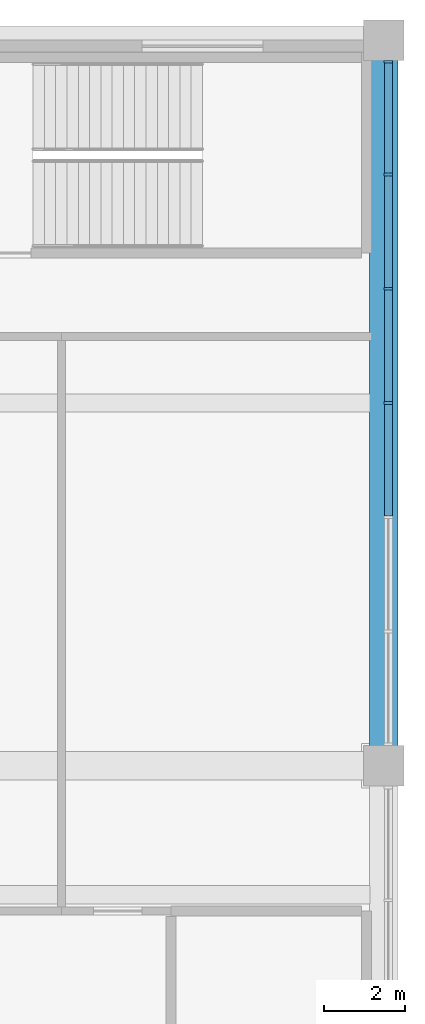
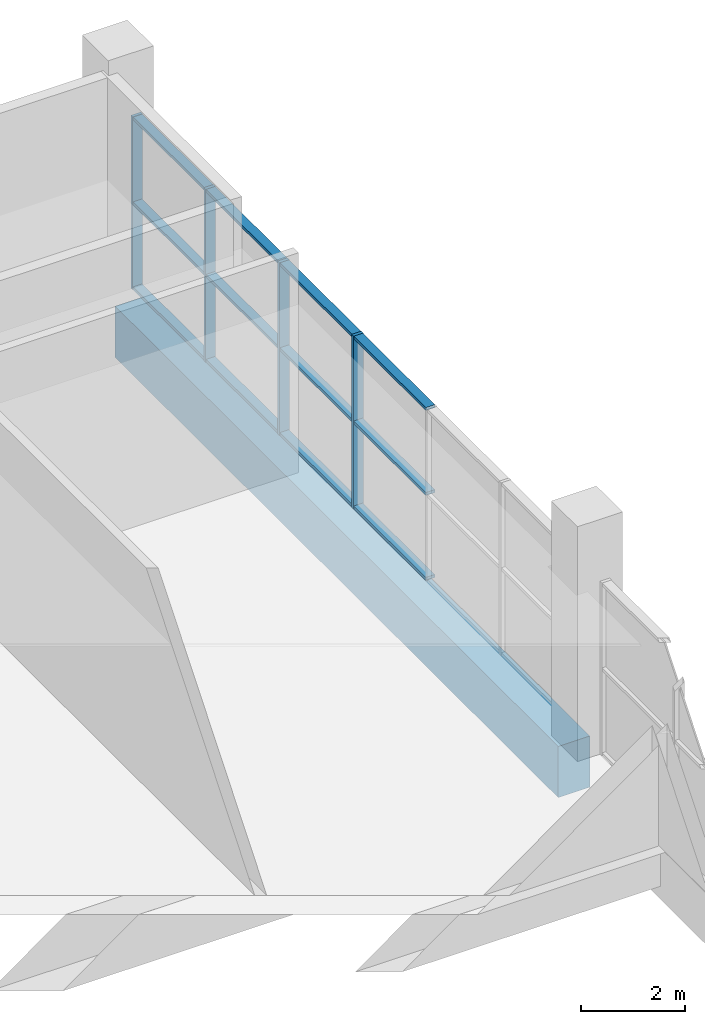
# One storey, part 3 of 16: 16 members, 1 beam, 1 element without a shape of its own.
"""IFC4 building model written with IfcOpenShell, lengths in metres."""

import ifcopenshell
import ifcopenshell.guid

model = None  # the IFC model being written
_history = None  # IfcOwnerHistory: only IFC2X3 demands one
_inside = {}  # id of a spatial element -> (the spatial element, [elements in it])
_under = {}  # id of a project, library or spatial element -> (it, [spatial elements below it])
_declared = {}  # id of a project -> (the project, [libraries it declares])
_typed = {}  # id of a type object -> (the type object, [elements of that type])
_made_of = {}  # id of a material, layer set ... -> (it, [elements and type objects made of it])


def new_model(schema):
    """Start an empty IFC model of exactly this schema.

    Asked for "IFC4X3", IfcOpenShell would pick the latest addendum, in which some entities
    have other attributes; the version numbers below select the first issue.
    IFC2X3 requires an IfcOwnerHistory on every rooted entity: one is made here for all.
    """
    global model, _history
    if schema == "IFC4X3":
        model = ifcopenshell.file(schema_version=(4, 3, 0, 0))
    else:
        model = ifcopenshell.file(schema=schema)
    _inside.clear()
    _under.clear()
    _declared.clear()
    _typed.clear()
    _made_of.clear()
    _history = None
    if model.schema == "IFC2X3":
        org = make("IfcOrganization", Name="unknown")
        user = make(
            "IfcPersonAndOrganization",
            ThePerson=make("IfcPerson", FamilyName="unknown"),
            TheOrganization=org,
        )
        app = make(
            "IfcApplication",
            ApplicationDeveloper=org,
            Version="unknown",
            ApplicationFullName="unknown",
            ApplicationIdentifier="unknown",
        )
        _history = make(
            "IfcOwnerHistory",
            OwningUser=user,
            OwningApplication=app,
            ChangeAction="ADDED",
            CreationDate=0,
        )
    return model


def make(cls, **values):
    """One entity of the class cls with the attributes given. An attribute that is None is left unset."""
    return model.create_entity(
        cls, **{name: value for name, value in values.items() if value is not None}
    )


def rooted(cls, **values):
    """An entity with a GlobalId (a new one), such as an element, a storey or a relation."""
    return make(cls, GlobalId=ifcopenshell.guid.new(), OwnerHistory=_history, **values)


def si_unit(unit_type, name, prefix=None):
    """IfcSIUnit, for example si_unit("LENGTHUNIT", "METRE", prefix="MILLI")."""
    return make("IfcSIUnit", UnitType=unit_type, Prefix=prefix, Name=name)


def assignment(units):
    """IfcUnitAssignment: the units of a project."""
    return None if units is None else make("IfcUnitAssignment", Units=units)


def point(xyz):
    """IfcCartesianPoint."""
    return None if xyz is None else make("IfcCartesianPoint", Coordinates=xyz)


def direction(xyz):
    """IfcDirection."""
    return None if xyz is None else make("IfcDirection", DirectionRatios=xyz)


def frame(location, z_axis=None, x_axis=None):
    """IfcAxis2Placement3D, a coordinate frame: its origin and axes. An axis left out is left unset."""
    return make(
        "IfcAxis2Placement3D",
        Location=point(location),
        Axis=direction(z_axis),
        RefDirection=direction(x_axis),
    )


def frame_2d(location, x_axis=None):
    """IfcAxis2Placement2D, a coordinate frame in the plane: its origin and x axis."""
    return make(
        "IfcAxis2Placement2D", Location=point(location), RefDirection=direction(x_axis)
    )


def origin():
    """The frame at (0, 0, 0) with its axes left unset."""
    return frame((0.0, 0.0, 0.0))


def origin_2d():
    """The frame at (0, 0) in the plane with its x axis left unset."""
    return frame_2d((0.0, 0.0))


def place(relative_to, where):
    """IfcLocalPlacement: puts the frame where relative to a parent placement (None: the world)."""
    return make(
        "IfcLocalPlacement", PlacementRelTo=relative_to, RelativePlacement=where
    )


def context(
    kind, dimensions, precision=None, world=None, true_north=None, identifier=None
):
    """IfcGeometricRepresentationContext, for example the 3D "Model" context."""
    return make(
        "IfcGeometricRepresentationContext",
        ContextIdentifier=identifier,
        ContextType=kind,
        CoordinateSpaceDimension=dimensions,
        Precision=precision,
        WorldCoordinateSystem=world,
        TrueNorth=true_north,
    )


def subcontext(parent, identifier, kind, view, scale=None):
    """IfcGeometricRepresentationSubContext, for example "Body" below "Model"."""
    return make(
        "IfcGeometricRepresentationSubContext",
        ContextIdentifier=identifier,
        ContextType=kind,
        ParentContext=parent,
        TargetScale=scale,
        TargetView=view,
    )


def project(units=None, contexts=None):
    """IfcProject with its units and contexts."""
    return rooted(
        "IfcProject",
        Name="project",
        RepresentationContexts=contexts,
        UnitsInContext=assignment(units),
    )


def spatial(cls, under=None, at=None, **own):
    """A site, building, storey or space (cls), placed at a placement, below another one or the project."""
    s = rooted(cls, ObjectPlacement=at, **own)
    if under is not None:
        _under.setdefault(under.id(), (under, []))[1].append(s)
    return s


def profile(cls, at=None, kind="AREA", **sizes):
    """A parametric profile (cls). Its sizes go by their IFC names, for example OverallWidth=200.0."""
    return make(cls, ProfileType=kind, Position=at, **sizes)


def rectangle(**sizes):
    """IfcRectangleProfileDef."""
    return profile("IfcRectangleProfileDef", **sizes)


def extrude(swept, where, along, depth):
    """IfcExtrudedAreaSolid: the profile swept, set in the frame where, extruded along a direction by depth."""
    return make(
        "IfcExtrudedAreaSolid",
        SweptArea=swept,
        Position=where,
        ExtrudedDirection=direction(along),
        Depth=depth,
    )


def shape(context_of_items, identifier, shape_type, items):
    """IfcShapeRepresentation: the items that make up one representation, for example the "Body"."""
    return make(
        "IfcShapeRepresentation",
        ContextOfItems=context_of_items,
        RepresentationIdentifier=identifier,
        RepresentationType=shape_type,
        Items=items,
    )


def material(Name=None, Category=None):
    """IfcMaterial."""
    return make("IfcMaterial", Name=Name, Category=Category)


def material_profile(
    of_material, cross_section, Name=None, Category=None, Priority=None
):
    """IfcMaterialProfile: a cross section and its material."""
    return make(
        "IfcMaterialProfile",
        Name=Name,
        Material=of_material,
        Profile=cross_section,
        Priority=Priority,
        Category=Category,
    )


def profile_set(profiles, Name=None, composite=None):
    """IfcMaterialProfileSet."""
    return make(
        "IfcMaterialProfileSet",
        Name=Name,
        MaterialProfiles=profiles,
        CompositeProfile=composite,
    )


def made_of(thing, what):
    """Note that an element or type object is made of a material, layer set ...; save() writes the relation."""
    if what is not None:
        _made_of.setdefault(what.id(), (what, []))[1].append(thing)
    return thing


def type_object(cls, material=None, **own):
    """A type object (cls), such as IfcWallType, which elements share."""
    return made_of(rooted(cls, **own), material)


def element(
    cls,
    number,
    at=None,
    inside=None,
    cuts=None,
    type_object=None,
    material=None,
    context=None,
    identifier="Body",
    shape_type=None,
    held_by="IfcProductDefinitionShape",
    body=None,
    shapes=None,
    **own,
):
    """One element of the class cls, such as IfcWall. Its Tag is "e" and its number.

    at: its placement. inside: the storey or other place that contains it. cuts: it is an
    opening in that element (IfcRelVoidsElement). A single representation is given by context,
    identifier, shape_type and body (its items); several are given by shapes. held_by: the class
    of the entity that holds the representations. save() writes the other relations.
    """
    e = rooted(cls, Tag="e%d" % number, ObjectPlacement=at, **own)
    if body is not None:
        shapes = [shape(context, identifier, shape_type, body)]
    if shapes is not None:
        e.Representation = make(held_by, Representations=shapes)
    if inside is not None:
        _inside.setdefault(inside.id(), (inside, []))[1].append(e)
    if cuts is not None:
        rooted(
            "IfcRelVoidsElement", RelatingBuildingElement=cuts, RelatedOpeningElement=e
        )
    if type_object is not None:
        _typed.setdefault(type_object.id(), (type_object, []))[1].append(e)
    return made_of(e, material)


def aggregate(whole, parts):
    """IfcRelAggregates: a whole, such as a stair, and the parts it consists of."""
    return rooted("IfcRelAggregates", RelatingObject=whole, RelatedObjects=parts)


def save(model, path):
    """Write the relations noted so far, then the file.

    IfcRelAggregates (storeys below a building ...), IfcRelContainedInSpatialStructure (elements
    in a storey), IfcRelDefinesByType, IfcRelAssociatesMaterial and IfcRelDeclares: one each for
    every whole, place, type object, material and project.
    """
    for whole, parts in _under.values():
        aggregate(whole, parts)
    for where, things in _inside.values():
        rooted(
            "IfcRelContainedInSpatialStructure",
            RelatedElements=things,
            RelatingStructure=where,
        )
    for kind, things in _typed.values():
        rooted("IfcRelDefinesByType", RelatedObjects=things, RelatingType=kind)
    for what, things in _made_of.values():
        rooted("IfcRelAssociatesMaterial", RelatedObjects=things, RelatingMaterial=what)
    for by, libraries in _declared.values():
        rooted("IfcRelDeclares", RelatingContext=by, RelatedDefinitions=libraries)
    model.write(path)


model = new_model("IFC4")

# Units and contexts
model_context = context("Model", 3, precision=1e-05, world=origin(), true_north=direction((0.0, 1.0)))
body_context = subcontext(model_context, "Body", "Model", "MODEL_VIEW")
ifc_project = project(units=[si_unit("LENGTHUNIT", "METRE"), si_unit("AREAUNIT", "SQUARE_METRE"), si_unit("VOLUMEUNIT", "CUBIC_METRE"), si_unit("PLANEANGLEUNIT", "RADIAN"), si_unit("MASSUNIT", "GRAM", prefix="KILO")], contexts=[model_context])

# Site, building, storey
site_placement = place(None, origin())
site = spatial("IfcSite", under=ifc_project, at=site_placement, CompositionType="ELEMENT")
building_placement = place(site_placement, origin())
building = spatial("IfcBuilding", under=site, at=building_placement, Name="Vanh Sen Convention Tower", CompositionType="ELEMENT")
storey_placement = place(building_placement, frame((0.0, 0.0, 29.0)))
storey = spatial("IfcBuildingStorey", under=building, at=storey_placement, Name="L04", CompositionType="ELEMENT", Elevation=29.0)

# Curtain wall, members
ifc_material_1 = material(Name="Aluminium structural glazing system", Category="aluminium")
curtain_wall_type = type_object("IfcCurtainWallType", Name="Podium hall structural glazing", PredefinedType="NOTDEFINED", material=ifc_material_1)
curtain_wall_placement = place(storey_placement, origin())
curtain_wall = element("IfcCurtainWall", 1, at=curtain_wall_placement, inside=storey, type_object=curtain_wall_type, Name="Podium hall glazing 3 L04", PredefinedType="NOTDEFINED")
ifc_material_2 = material(Name="Aluminium mullion", Category="aluminium")
ifc_material_profile_1 = material_profile(ifc_material_2, rectangle(XDim=0.219970703125, YDim=0.070068359375, at=origin_2d()), Name="Hall glazing mullion 70 x 220")
ifc_profile_set_1 = profile_set([ifc_material_profile_1], Name="Aluminium mullion")
member_type_1 = type_object("IfcMemberType", Name="Hall glazing mullion 70 x 220", PredefinedType="MULLION", material=ifc_profile_set_1)
member_1_placement = place(storey_placement, frame((45.110107421875, 18.0, 0.0), z_axis=(0.0, 0.0, 1.0), x_axis=(-1.0, 0.0, 0.0)))
member_1 = element("IfcMember", 2, at=member_1_placement, type_object=member_type_1, Name="CW4 mullion 4", PredefinedType="MULLION", context=body_context, shape_type="SweptSolid", body=[
    extrude(rectangle(XDim=0.219970703125, YDim=0.070068359375, at=origin_2d()), origin(), (0.0, 0.0, 1.0), 4.050048828125),
])
member_2_placement = place(storey_placement, frame((45.110107421875, 20.833251953125, 0.0), z_axis=(0.0, 0.0, 1.0), x_axis=(-1.0, 0.0, 0.0)))
member_2 = element("IfcMember", 3, at=member_2_placement, type_object=member_type_1, Name="CW4 mullion 5", PredefinedType="MULLION", context=body_context, shape_type="SweptSolid", body=[
    extrude(rectangle(XDim=0.219970703125, YDim=0.070068359375, at=origin_2d()), origin(), (0.0, 0.0, 1.0), 4.050048828125),
])
member_3_placement = place(storey_placement, frame((45.110107421875, 23.666748046875, 0.0), z_axis=(0.0, 0.0, 1.0), x_axis=(-1.0, 0.0, 0.0)))
member_3 = element("IfcMember", 4, at=member_3_placement, type_object=member_type_1, Name="CW4 mullion 6", PredefinedType="MULLION", context=body_context, shape_type="SweptSolid", body=[
    extrude(rectangle(XDim=0.219970703125, YDim=0.070068359375, at=origin_2d()), origin(), (0.0, 0.0, 1.0), 4.050048828125),
])
member_4_placement = place(storey_placement, frame((45.110107421875, 26.465087890625, 0.0), z_axis=(0.0, 0.0, 1.0), x_axis=(-1.0, 0.0, 0.0)))
member_4 = element("IfcMember", 5, at=member_4_placement, type_object=member_type_1, Name="CW4 mullion 7", PredefinedType="MULLION", context=body_context, shape_type="SweptSolid", body=[
    extrude(rectangle(XDim=0.219970703125, YDim=0.070068359375, at=origin_2d()), origin(), (0.0, 0.0, 1.0), 4.050048828125),
])
ifc_material_3 = material(Name="Aluminium transom", Category="aluminium")
ifc_material_profile_2 = material_profile(ifc_material_3, rectangle(XDim=0.199951171875, YDim=0.070068359375, at=origin_2d()), Name="Hall glazing transom 200 x 70")
ifc_profile_set_2 = profile_set([ifc_material_profile_2], Name="Aluminium transom")
member_type_2 = type_object("IfcMemberType", Name="Hall glazing transom 200 x 70", PredefinedType="USERDEFINED", material=ifc_profile_set_2)
member_5_placement = place(storey_placement, frame((45.110107421875, 15.20166015625, 0.034912109375), z_axis=(0.0, 1.0, 0.0), x_axis=(-1.0, 0.0, 0.0)))
member_5 = element("IfcMember", 6, at=member_5_placement, type_object=member_type_2, Name="CW4 transom 3.1", ObjectType="TRANSOM", PredefinedType="USERDEFINED", context=body_context, shape_type="SweptSolid", body=[
    extrude(rectangle(XDim=0.199951171875, YDim=0.070068359375, at=origin_2d()), origin(), (0.0, 0.0, 1.0), 2.763427734375),
])
member_6_placement = place(storey_placement, frame((45.110107421875, 15.20166015625, 2.02490234375), z_axis=(0.0, 1.0, 0.0), x_axis=(-1.0, 0.0, 0.0)))
member_6 = element("IfcMember", 7, at=member_6_placement, type_object=member_type_2, Name="CW4 transom 3.2", ObjectType="TRANSOM", PredefinedType="USERDEFINED", context=body_context, shape_type="SweptSolid", body=[
    extrude(rectangle(XDim=0.199951171875, YDim=0.070068359375, at=origin_2d()), origin(), (0.0, 0.0, 1.0), 2.763427734375),
])
member_7_placement = place(storey_placement, frame((45.110107421875, 15.20166015625, 4.014892578125), z_axis=(0.0, 1.0, 0.0), x_axis=(-1.0, 0.0, 0.0)))
member_7 = element("IfcMember", 8, at=member_7_placement, type_object=member_type_2, Name="CW4 transom 3.3", ObjectType="TRANSOM", PredefinedType="USERDEFINED", context=body_context, shape_type="SweptSolid", body=[
    extrude(rectangle(XDim=0.199951171875, YDim=0.070068359375, at=origin_2d()), origin(), (0.0, 0.0, 1.0), 2.763427734375),
])
member_8_placement = place(storey_placement, frame((45.110107421875, 18.034912109375, 0.034912109375), z_axis=(0.0, 1.0, 0.0), x_axis=(-1.0, 0.0, 0.0)))
member_8 = element("IfcMember", 9, at=member_8_placement, type_object=member_type_2, Name="CW4 transom 4.1", ObjectType="TRANSOM", PredefinedType="USERDEFINED", context=body_context, shape_type="SweptSolid", body=[
    extrude(rectangle(XDim=0.199951171875, YDim=0.070068359375, at=origin_2d()), origin(), (0.0, 0.0, 1.0), 2.763427734375),
])
member_9_placement = place(storey_placement, frame((45.110107421875, 18.034912109375, 2.02490234375), z_axis=(0.0, 1.0, 0.0), x_axis=(-1.0, 0.0, 0.0)))
member_9 = element("IfcMember", 10, at=member_9_placement, type_object=member_type_2, Name="CW4 transom 4.2", ObjectType="TRANSOM", PredefinedType="USERDEFINED", context=body_context, shape_type="SweptSolid", body=[
    extrude(rectangle(XDim=0.199951171875, YDim=0.070068359375, at=origin_2d()), origin(), (0.0, 0.0, 1.0), 2.763427734375),
])
member_10_placement = place(storey_placement, frame((45.110107421875, 18.034912109375, 4.014892578125), z_axis=(0.0, 1.0, 0.0), x_axis=(-1.0, 0.0, 0.0)))
member_10 = element("IfcMember", 11, at=member_10_placement, type_object=member_type_2, Name="CW4 transom 4.3", ObjectType="TRANSOM", PredefinedType="USERDEFINED", context=body_context, shape_type="SweptSolid", body=[
    extrude(rectangle(XDim=0.199951171875, YDim=0.070068359375, at=origin_2d()), origin(), (0.0, 0.0, 1.0), 2.763427734375),
])
member_11_placement = place(storey_placement, frame((45.110107421875, 20.868408203125, 0.034912109375), z_axis=(0.0, 1.0, 0.0), x_axis=(-1.0, 0.0, 0.0)))
member_11 = element("IfcMember", 12, at=member_11_placement, type_object=member_type_2, Name="CW4 transom 5.1", ObjectType="TRANSOM", PredefinedType="USERDEFINED", context=body_context, shape_type="SweptSolid", body=[
    extrude(rectangle(XDim=0.199951171875, YDim=0.070068359375, at=origin_2d()), origin(), (0.0, 0.0, 1.0), 2.76318359375),
])
member_12_placement = place(storey_placement, frame((45.110107421875, 20.868408203125, 2.02490234375), z_axis=(0.0, 1.0, 0.0), x_axis=(-1.0, 0.0, 0.0)))
member_12 = element("IfcMember", 13, at=member_12_placement, type_object=member_type_2, Name="CW4 transom 5.2", ObjectType="TRANSOM", PredefinedType="USERDEFINED", context=body_context, shape_type="SweptSolid", body=[
    extrude(rectangle(XDim=0.199951171875, YDim=0.070068359375, at=origin_2d()), origin(), (0.0, 0.0, 1.0), 2.76318359375),
])
member_13_placement = place(storey_placement, frame((45.110107421875, 20.868408203125, 4.014892578125), z_axis=(0.0, 1.0, 0.0), x_axis=(-1.0, 0.0, 0.0)))
member_13 = element("IfcMember", 14, at=member_13_placement, type_object=member_type_2, Name="CW4 transom 5.3", ObjectType="TRANSOM", PredefinedType="USERDEFINED", context=body_context, shape_type="SweptSolid", body=[
    extrude(rectangle(XDim=0.199951171875, YDim=0.070068359375, at=origin_2d()), origin(), (0.0, 0.0, 1.0), 2.76318359375),
])
member_14_placement = place(storey_placement, frame((45.110107421875, 23.70166015625, 0.034912109375), z_axis=(0.0, 1.0, 0.0), x_axis=(-1.0, 0.0, 0.0)))
member_14 = element("IfcMember", 15, at=member_14_placement, type_object=member_type_2, Name="CW4 transom 6.1", ObjectType="TRANSOM", PredefinedType="USERDEFINED", context=body_context, shape_type="SweptSolid", body=[
    extrude(rectangle(XDim=0.199951171875, YDim=0.070068359375, at=origin_2d()), origin(), (0.0, 0.0, 1.0), 2.728271484375),
])
member_15_placement = place(storey_placement, frame((45.110107421875, 23.70166015625, 2.02490234375), z_axis=(0.0, 1.0, 0.0), x_axis=(-1.0, 0.0, 0.0)))
member_15 = element("IfcMember", 16, at=member_15_placement, type_object=member_type_2, Name="CW4 transom 6.2", ObjectType="TRANSOM", PredefinedType="USERDEFINED", context=body_context, shape_type="SweptSolid", body=[
    extrude(rectangle(XDim=0.199951171875, YDim=0.070068359375, at=origin_2d()), origin(), (0.0, 0.0, 1.0), 2.728271484375),
])
member_16_placement = place(storey_placement, frame((45.110107421875, 23.70166015625, 4.014892578125), z_axis=(0.0, 1.0, 0.0), x_axis=(-1.0, 0.0, 0.0)))
member_16 = element("IfcMember", 17, at=member_16_placement, type_object=member_type_2, Name="CW4 transom 6.3", ObjectType="TRANSOM", PredefinedType="USERDEFINED", context=body_context, shape_type="SweptSolid", body=[
    extrude(rectangle(XDim=0.199951171875, YDim=0.070068359375, at=origin_2d()), origin(), (0.0, 0.0, 1.0), 2.728271484375),
])
aggregate(curtain_wall, [member_1, member_2, member_3, member_4, member_5, member_6, member_7, member_8, member_9, member_10, member_11, member_12, member_13, member_14, member_15, member_16])

# Beam
ifc_material_4 = material(Name="Concrete C50/60", Category="concrete")
ifc_material_profile_3 = material_profile(ifc_material_4, rectangle(XDim=0.699951171875, YDim=1.199951171875, at=origin_2d()), Name="RC 700X1200")
ifc_profile_set_3 = profile_set([ifc_material_profile_3], Name="Concrete C50/60")
beam_type = type_object("IfcBeamType", Name="Podium girder 700 x 1200", PredefinedType="BEAM", material=ifc_profile_set_3)
beam_placement = place(storey_placement, frame((45.0, 9.4951171875, -0.89990234375), z_axis=(0.0, 1.0, 0.0), x_axis=(-1.0, 0.0, 0.0)))
element("IfcBeam", 18, at=beam_placement, inside=storey, type_object=beam_type, Name="Podium girder 13 L04", PredefinedType="BEAM", context=body_context, shape_type="SweptSolid", body=[
    extrude(rectangle(XDim=0.699951171875, YDim=1.199951171875, at=origin_2d()), origin(), (0.0, 0.0, 1.0), 17.009765625),
])

save(model, "model.ifc")
